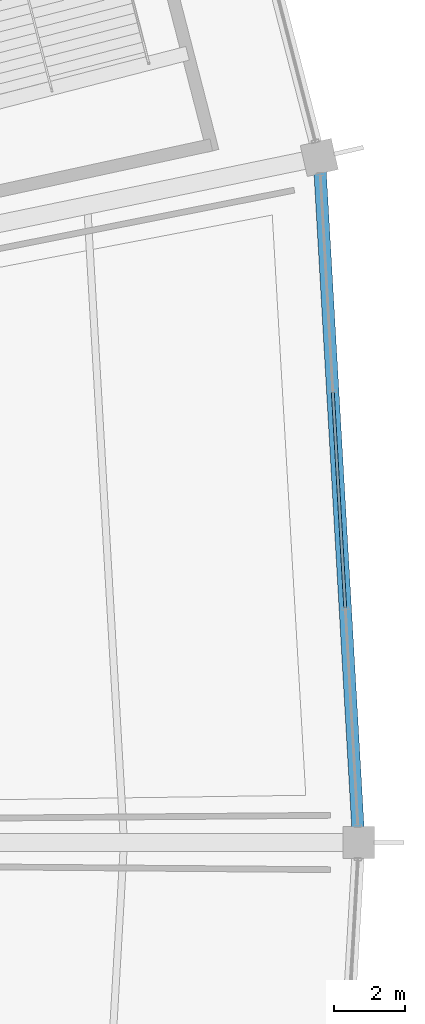
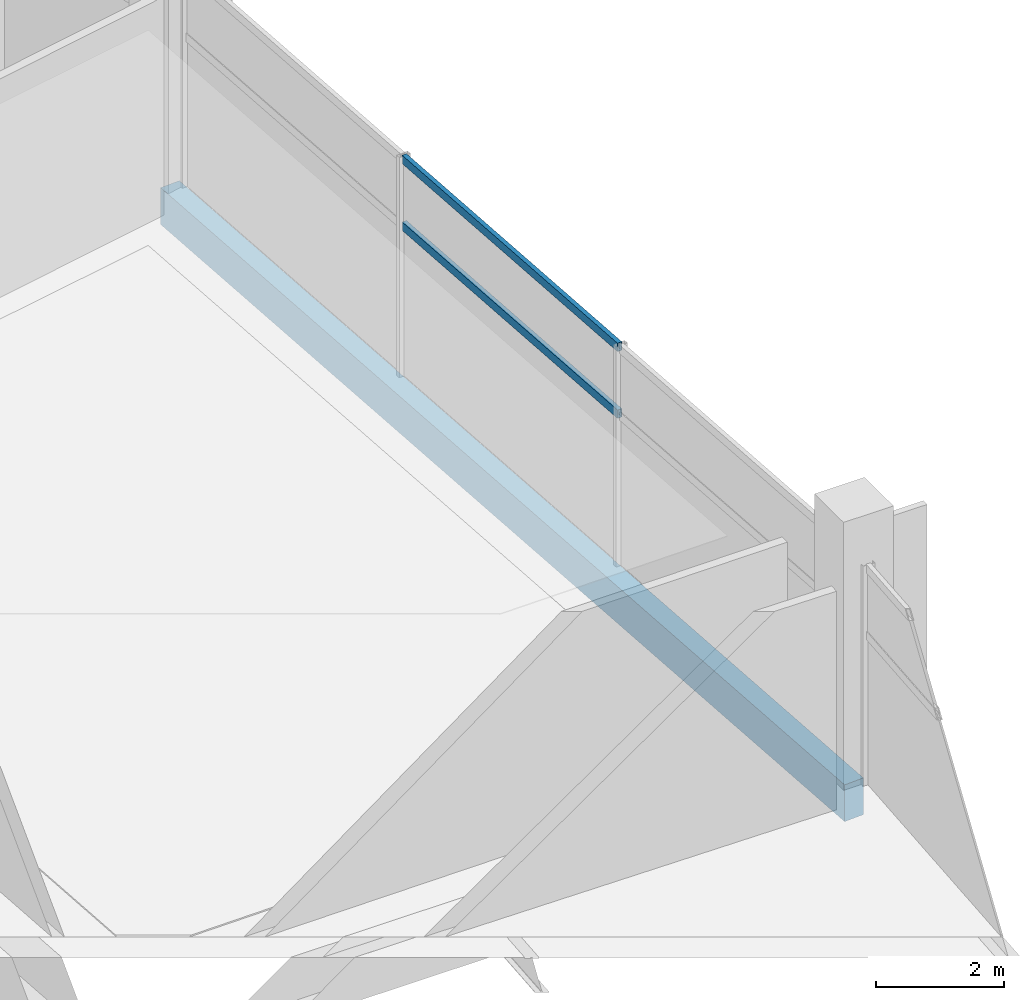
# One storey, part 89 of 184: 2 members, 1 beam, 1 element without a shape of its own.
"""IFC4 building model written with IfcOpenShell, lengths in metres."""

from ifc_helpers import new_model, si_unit, direction, frame, origin, origin_2d, place, context, subcontext, project, spatial, rectangle, hollow_rectangle, extrude, material, layer, layer_set, material_profile, profile_set, type_object, element, aggregate, save


model = new_model("IFC4")

# Units and contexts
model_context = context("Model", 3, precision=1e-05, world=origin(), true_north=direction((0.0, 1.0)))
body_context = subcontext(model_context, "Body", "Model", "MODEL_VIEW")
ifc_project = project(units=[si_unit("LENGTHUNIT", "METRE"), si_unit("AREAUNIT", "SQUARE_METRE"), si_unit("VOLUMEUNIT", "CUBIC_METRE"), si_unit("PLANEANGLEUNIT", "RADIAN"), si_unit("MASSUNIT", "GRAM", prefix="KILO")], contexts=[model_context])

# Site, building, storey
site_placement = place(None, origin())
site = spatial("IfcSite", under=ifc_project, at=site_placement, CompositionType="ELEMENT")
building_placement = place(site_placement, origin())
building = spatial("IfcBuilding", under=site, at=building_placement, Name="Kazemori Nagisa Stadium", CompositionType="ELEMENT")
storey_placement = place(building_placement, frame((0.0, 0.0, 10.5400390625)))
storey = spatial("IfcBuildingStorey", under=building, at=storey_placement, Name="L02", CompositionType="ELEMENT", Elevation=10.5400390625)

# Beam
ifc_material_1 = material(Name="Concrete C40/50 (Fc42)", Category="concrete")
ifc_material_profile_1 = material_profile(ifc_material_1, rectangle(XDim=0.35009765625, YDim=0.699951171875, at=origin_2d()), Name="RC-SP-350x700")
ifc_profile_set_1 = profile_set([ifc_material_profile_1], Name="Concrete C40/50 (Fc42)")
beam_type = type_object("IfcBeamType", Name="Beam_BS-RC350X700", PredefinedType="SPANDREL", material=ifc_profile_set_1)
beam_placement = place(storey_placement, frame((218.0, 102.0, -0.610107421875), z_axis=(-0.057598702622, 0.998339816624, 0.0), x_axis=(-0.998339816624, -0.057598702622, 0.0)))
element("IfcBeam", 1, at=beam_placement, inside=storey, type_object=beam_type, Name="Ring girder BS-RC350X700 L02 R3-01", PredefinedType="SPANDREL", context=body_context, shape_type="SweptSolid", body=[
    extrude(rectangle(XDim=0.35009765625, YDim=0.699951171875, at=origin_2d()), origin(), (0.0, 0.0, 1.0), 19.429931640625),
])

# Curtain wall, members
ifc_material_2 = material(Name="Anodised aluminium 6063-T5", Category="aluminium")
ifc_layer = layer(ifc_material_2, 0.2099609375, Name="Anodised aluminium 6063-T5", Category="aluminium")
ifc_layer_set = layer_set([ifc_layer], Name="Anodised aluminium 6063-T5")
curtain_wall_type = type_object("IfcCurtainWallType", Name="CW_L02R3_93", PredefinedType="USERDEFINED", material=ifc_layer_set)
curtain_wall_placement = place(storey_placement, origin())
curtain_wall = element("IfcCurtainWall", 2, at=curtain_wall_placement, inside=storey, type_object=curtain_wall_type, Name="Unitised curtain wall CW-L02R3-93 L02", ObjectType="UNITISED CURTAIN WALL", PredefinedType="USERDEFINED")
ifc_material_3 = material(Name="Aluminium 6063-T5 anodised", Category="aluminium")
ifc_material_profile_2 = material_profile(ifc_material_3, hollow_rectangle(XDim=0.080078125, YDim=0.159912109375, WallThickness=0.00390625, at=origin_2d()), Name="ALU-TRAN-80x160x4")
ifc_profile_set_2 = profile_set([ifc_material_profile_2], Name="Aluminium 6063-T5 anodised")
member_type = type_object("IfcMemberType", Name="Transom_T02", PredefinedType="USERDEFINED", material=ifc_profile_set_2)
member_1_placement = place(storey_placement, frame((217.61669921875, 108.64404296875, 2.84912109375), z_axis=(-0.057606475429, 0.998339368145, 0.0), x_axis=(-0.998339368145, -0.057606475429, 0.0)))
member_1 = element("IfcMember", 3, at=member_1_placement, type_object=member_type, Name="Curtain wall transom CW-L02R3-93-T2-mid", ObjectType="TRANSOM", PredefinedType="USERDEFINED", context=body_context, shape_type="SweptSolid", body=[
    extrude(hollow_rectangle(XDim=0.080078125, YDim=0.159912109375, WallThickness=0.00390625, at=origin_2d()), origin(), (0.0, 0.0, 1.0), 6.119873046875),
])
member_2_placement = place(storey_placement, frame((217.61669921875, 108.64404296875, 4.119873046875), z_axis=(-0.057606475429, 0.998339368145, 0.0), x_axis=(-0.998339368145, -0.057606475429, 0.0)))
member_2 = element("IfcMember", 4, at=member_2_placement, type_object=member_type, Name="Curtain wall transom CW-L02R3-93-T2-head", ObjectType="TRANSOM", PredefinedType="USERDEFINED", context=body_context, shape_type="SweptSolid", body=[
    extrude(hollow_rectangle(XDim=0.080078125, YDim=0.159912109375, WallThickness=0.00390625, at=origin_2d()), origin(), (0.0, 0.0, 1.0), 6.119873046875),
])
aggregate(curtain_wall, [member_1, member_2])

save(model, "model.ifc")
